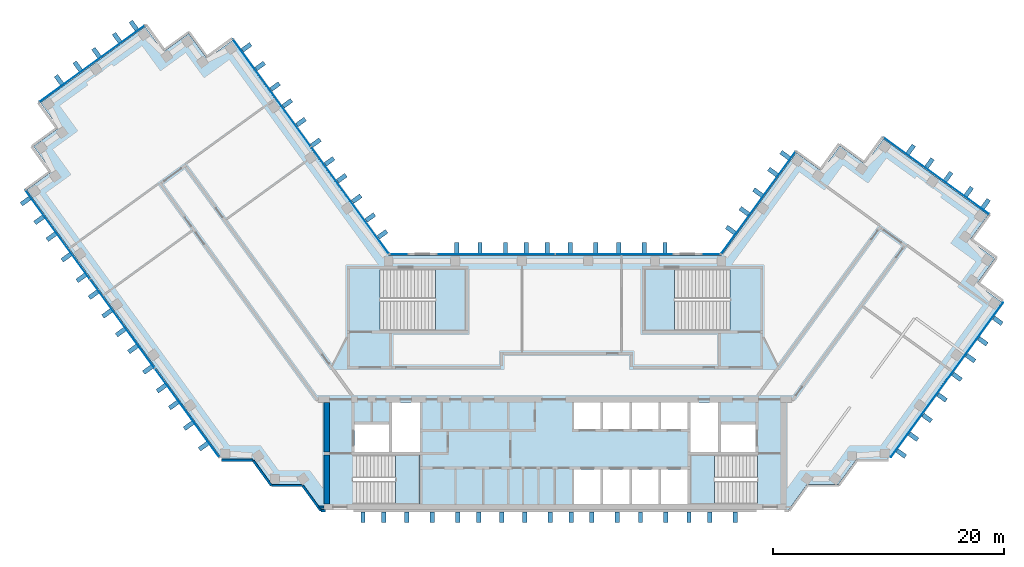
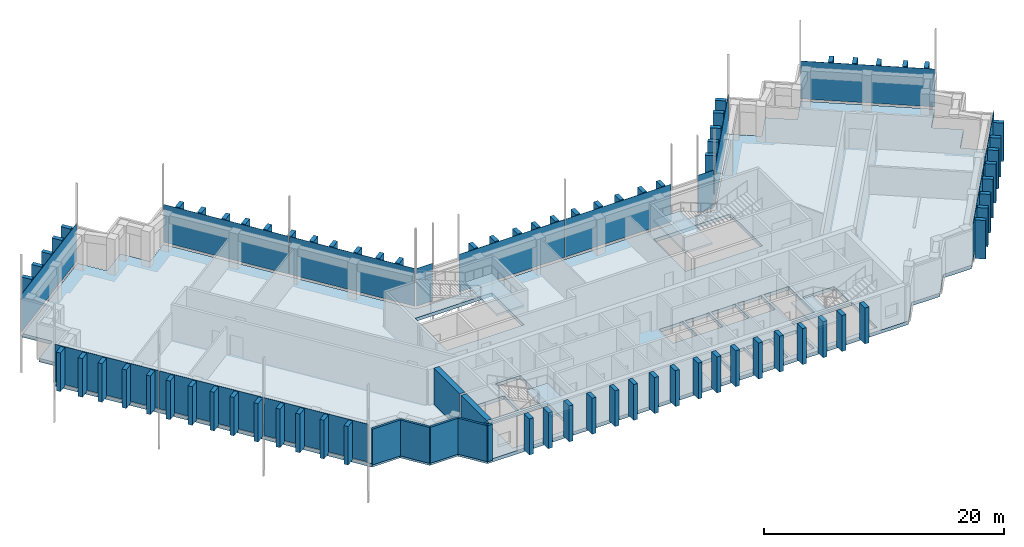
"""IFC4 building model written with IfcOpenShell, lengths in metres."""

import ifcopenshell
import ifcopenshell.guid

model = None  # the IFC model being written
_history = None  # IfcOwnerHistory: only IFC2X3 demands one
_inside = {}  # id of a spatial element -> (the spatial element, [elements in it])
_under = {}  # id of a project, library or spatial element -> (it, [spatial elements below it])
_declared = {}  # id of a project -> (the project, [libraries it declares])
_typed = {}  # id of a type object -> (the type object, [elements of that type])
_made_of = {}  # id of a material, layer set ... -> (it, [elements and type objects made of it])


def new_model(schema):
    """Start an empty IFC model of exactly this schema.

    Asked for "IFC4X3", IfcOpenShell would pick the latest addendum, in which some entities
    have other attributes; the version numbers below select the first issue.
    IFC2X3 requires an IfcOwnerHistory on every rooted entity: one is made here for all.
    """
    global model, _history
    if schema == "IFC4X3":
        model = ifcopenshell.file(schema_version=(4, 3, 0, 0))
    else:
        model = ifcopenshell.file(schema=schema)
    _inside.clear()
    _under.clear()
    _declared.clear()
    _typed.clear()
    _made_of.clear()
    _history = None
    if model.schema == "IFC2X3":
        org = make("IfcOrganization", Name="unknown")
        user = make(
            "IfcPersonAndOrganization",
            ThePerson=make("IfcPerson", FamilyName="unknown"),
            TheOrganization=org,
        )
        app = make(
            "IfcApplication",
            ApplicationDeveloper=org,
            Version="unknown",
            ApplicationFullName="unknown",
            ApplicationIdentifier="unknown",
        )
        _history = make(
            "IfcOwnerHistory",
            OwningUser=user,
            OwningApplication=app,
            ChangeAction="ADDED",
            CreationDate=0,
        )
    return model


def make(cls, **values):
    """One entity of the class cls with the attributes given. An attribute that is None is left unset."""
    return model.create_entity(
        cls, **{name: value for name, value in values.items() if value is not None}
    )


def rooted(cls, **values):
    """An entity with a GlobalId (a new one), such as an element, a storey or a relation."""
    return make(cls, GlobalId=ifcopenshell.guid.new(), OwnerHistory=_history, **values)


def si_unit(unit_type, name, prefix=None):
    """IfcSIUnit, for example si_unit("LENGTHUNIT", "METRE", prefix="MILLI")."""
    return make("IfcSIUnit", UnitType=unit_type, Prefix=prefix, Name=name)


def assignment(units):
    """IfcUnitAssignment: the units of a project."""
    return None if units is None else make("IfcUnitAssignment", Units=units)


def point(xyz):
    """IfcCartesianPoint."""
    return None if xyz is None else make("IfcCartesianPoint", Coordinates=xyz)


def direction(xyz):
    """IfcDirection."""
    return None if xyz is None else make("IfcDirection", DirectionRatios=xyz)


def frame(location, z_axis=None, x_axis=None):
    """IfcAxis2Placement3D, a coordinate frame: its origin and axes. An axis left out is left unset."""
    return make(
        "IfcAxis2Placement3D",
        Location=point(location),
        Axis=direction(z_axis),
        RefDirection=direction(x_axis),
    )


def frame_2d(location, x_axis=None):
    """IfcAxis2Placement2D, a coordinate frame in the plane: its origin and x axis."""
    return make(
        "IfcAxis2Placement2D", Location=point(location), RefDirection=direction(x_axis)
    )


def origin():
    """The frame at (0, 0, 0) with its axes left unset."""
    return frame((0.0, 0.0, 0.0))


def origin_2d():
    """The frame at (0, 0) in the plane with its x axis left unset."""
    return frame_2d((0.0, 0.0))


def place(relative_to, where):
    """IfcLocalPlacement: puts the frame where relative to a parent placement (None: the world)."""
    return make(
        "IfcLocalPlacement", PlacementRelTo=relative_to, RelativePlacement=where
    )


def context(
    kind, dimensions, precision=None, world=None, true_north=None, identifier=None
):
    """IfcGeometricRepresentationContext, for example the 3D "Model" context."""
    return make(
        "IfcGeometricRepresentationContext",
        ContextIdentifier=identifier,
        ContextType=kind,
        CoordinateSpaceDimension=dimensions,
        Precision=precision,
        WorldCoordinateSystem=world,
        TrueNorth=true_north,
    )


def subcontext(parent, identifier, kind, view, scale=None):
    """IfcGeometricRepresentationSubContext, for example "Body" below "Model"."""
    return make(
        "IfcGeometricRepresentationSubContext",
        ContextIdentifier=identifier,
        ContextType=kind,
        ParentContext=parent,
        TargetScale=scale,
        TargetView=view,
    )


def project(units=None, contexts=None):
    """IfcProject with its units and contexts."""
    return rooted(
        "IfcProject",
        Name="project",
        RepresentationContexts=contexts,
        UnitsInContext=assignment(units),
    )


def spatial(cls, under=None, at=None, **own):
    """A site, building, storey or space (cls), placed at a placement, below another one or the project."""
    s = rooted(cls, ObjectPlacement=at, **own)
    if under is not None:
        _under.setdefault(under.id(), (under, []))[1].append(s)
    return s


def polyline(points):
    """IfcPolyline through the points."""
    return make("IfcPolyline", Points=[point(p) for p in points])


def profile(cls, at=None, kind="AREA", **sizes):
    """A parametric profile (cls). Its sizes go by their IFC names, for example OverallWidth=200.0."""
    return make(cls, ProfileType=kind, Position=at, **sizes)


def rectangle(**sizes):
    """IfcRectangleProfileDef."""
    return profile("IfcRectangleProfileDef", **sizes)


def outline(outer, holes=None, kind="AREA"):
    """IfcArbitraryClosedProfileDef: a profile drawn as a closed curve; with holes, ...WithVoids."""
    if holes is None:
        return make("IfcArbitraryClosedProfileDef", ProfileType=kind, OuterCurve=outer)
    return make(
        "IfcArbitraryProfileDefWithVoids",
        ProfileType=kind,
        OuterCurve=outer,
        InnerCurves=holes,
    )


def extrude(swept, where, along, depth):
    """IfcExtrudedAreaSolid: the profile swept, set in the frame where, extruded along a direction by depth."""
    return make(
        "IfcExtrudedAreaSolid",
        SweptArea=swept,
        Position=where,
        ExtrudedDirection=direction(along),
        Depth=depth,
    )


def shape(context_of_items, identifier, shape_type, items):
    """IfcShapeRepresentation: the items that make up one representation, for example the "Body"."""
    return make(
        "IfcShapeRepresentation",
        ContextOfItems=context_of_items,
        RepresentationIdentifier=identifier,
        RepresentationType=shape_type,
        Items=items,
    )


def material(Name=None, Category=None):
    """IfcMaterial."""
    return make("IfcMaterial", Name=Name, Category=Category)


def layer(
    of_material, thickness, ventilated=None, Name=None, Category=None, Priority=None
):
    """IfcMaterialLayer: one layer of a wall or slab, of a material (None: an air gap)."""
    return make(
        "IfcMaterialLayer",
        Material=of_material,
        LayerThickness=thickness,
        IsVentilated=ventilated,
        Name=Name,
        Category=Category,
        Priority=Priority,
    )


def layer_set(layers, Name=None):
    """IfcMaterialLayerSet."""
    return make("IfcMaterialLayerSet", MaterialLayers=layers, LayerSetName=Name)


def made_of(thing, what):
    """Note that an element or type object is made of a material, layer set ...; save() writes the relation."""
    if what is not None:
        _made_of.setdefault(what.id(), (what, []))[1].append(thing)
    return thing


def type_object(cls, material=None, **own):
    """A type object (cls), such as IfcWallType, which elements share."""
    return made_of(rooted(cls, **own), material)


def element(
    cls,
    number,
    at=None,
    inside=None,
    cuts=None,
    type_object=None,
    material=None,
    context=None,
    identifier="Body",
    shape_type=None,
    held_by="IfcProductDefinitionShape",
    body=None,
    shapes=None,
    **own,
):
    """One element of the class cls, such as IfcWall. Its Tag is "e" and its number.

    at: its placement. inside: the storey or other place that contains it. cuts: it is an
    opening in that element (IfcRelVoidsElement). A single representation is given by context,
    identifier, shape_type and body (its items); several are given by shapes. held_by: the class
    of the entity that holds the representations. save() writes the other relations.
    """
    e = rooted(cls, Tag="e%d" % number, ObjectPlacement=at, **own)
    if body is not None:
        shapes = [shape(context, identifier, shape_type, body)]
    if shapes is not None:
        e.Representation = make(held_by, Representations=shapes)
    if inside is not None:
        _inside.setdefault(inside.id(), (inside, []))[1].append(e)
    if cuts is not None:
        rooted(
            "IfcRelVoidsElement", RelatingBuildingElement=cuts, RelatedOpeningElement=e
        )
    if type_object is not None:
        _typed.setdefault(type_object.id(), (type_object, []))[1].append(e)
    return made_of(e, material)


def aggregate(whole, parts):
    """IfcRelAggregates: a whole, such as a stair, and the parts it consists of."""
    return rooted("IfcRelAggregates", RelatingObject=whole, RelatedObjects=parts)


def save(model, path):
    """Write the relations noted so far, then the file.

    IfcRelAggregates (storeys below a building ...), IfcRelContainedInSpatialStructure (elements
    in a storey), IfcRelDefinesByType, IfcRelAssociatesMaterial and IfcRelDeclares: one each for
    every whole, place, type object, material and project.
    """
    for whole, parts in _under.values():
        aggregate(whole, parts)
    for where, things in _inside.values():
        rooted(
            "IfcRelContainedInSpatialStructure",
            RelatedElements=things,
            RelatingStructure=where,
        )
    for kind, things in _typed.values():
        rooted("IfcRelDefinesByType", RelatedObjects=things, RelatingType=kind)
    for what, things in _made_of.values():
        rooted("IfcRelAssociatesMaterial", RelatedObjects=things, RelatingMaterial=what)
    for by, libraries in _declared.values():
        rooted("IfcRelDeclares", RelatingContext=by, RelatedDefinitions=libraries)
    model.write(path)


model = new_model("IFC4")

# Units and contexts
model_context = context("Model", 3, precision=1e-05, world=origin(), true_north=direction((0.0, 1.0)))
body_context = subcontext(model_context, "Body", "Model", "MODEL_VIEW")
ifc_project = project(units=[si_unit("LENGTHUNIT", "METRE"), si_unit("AREAUNIT", "SQUARE_METRE"), si_unit("VOLUMEUNIT", "CUBIC_METRE"), si_unit("PLANEANGLEUNIT", "RADIAN"), si_unit("MASSUNIT", "GRAM", prefix="KILO")], contexts=[model_context])

# Site, building, storey
site_placement = place(None, origin())
site = spatial("IfcSite", under=ifc_project, at=site_placement, CompositionType="ELEMENT")
building_placement = place(site_placement, origin())
building = spatial("IfcBuilding", under=site, at=building_placement, Name="Quipu Civic Tower", CompositionType="ELEMENT")
storey_1_placement = place(building_placement, frame((0.0, 0.0, 210.0)))
storey_1 = spatial("IfcBuildingStorey", under=building, at=storey_1_placement, Name="L49", CompositionType="ELEMENT", Elevation=210.0)

# Slab
ifc_material_1 = material(Name="Concrete C40/50", Category="concrete")
ifc_layer_1 = layer(ifc_material_1, 0.35009765625)
ifc_layer_set_1 = layer_set([ifc_layer_1], Name="Concrete C40/50")
slab_type_1 = type_object("IfcSlabType", Name="Floor slab 350 C40/50", PredefinedType="FLOOR", material=ifc_layer_set_1)
slab_1_placement = place(storey_1_placement, frame((0.0, 0.0, -0.35009765625)))
element("IfcSlab", 1, at=slab_1_placement, inside=storey_1, type_object=slab_type_1, Name="Floor slab L49", PredefinedType="FLOOR", context=body_context, shape_type="SweptSolid", body=[
    extrude(outline(polyline([(20.860107421875, 19.89501953125), (23.0400390625, 18.31005859375), (24.6298828125, 20.4951171875), (26.81494140625, 18.905029296875), (28.39990234375, 21.090087890625), (37.4599609375, 14.5048828125), (35.875, 12.320068359375), (38.06005859375, 10.735107421875), (36.469970703125, 8.550048828125), (38.655029296875, 6.965087890625), (28.780029296875, -6.6298828125), (26.080078125, -6.6298828125), (24.489990234375, -8.81494140625), (21.7900390625, -8.81494140625), (20.205078125, -11.0), (-20.205078125, -11.0), (-21.7900390625, -8.81494140625), (-24.489990234375, -8.81494140625), (-26.080078125, -6.6298828125), (-28.780029296875, -6.6298828125), (-45.7099609375, 16.669921875), (-43.52490234375, 18.260009765625), (-45.114990234375, 20.445068359375), (-42.929931640625, 22.030029296875), (-44.514892578125, 24.215087890625), (-35.455078125, 30.800048828125), (-33.864990234375, 28.614990234375), (-31.68505859375, 30.199951171875), (-30.094970703125, 28.014892578125), (-27.909912109375, 29.60498046875), (-14.39501953125, 11.0), (14.39501953125, 11.0), (20.860107421875, 19.89501953125)]), holes=[polyline([(1.64990234375, -7.5), (1.64990234375, -10.5), (3.949951171875, -10.5), (3.949951171875, -7.5), (1.64990234375, -7.5)]), polyline([(4.14990234375, -7.5), (4.14990234375, -10.5), (6.449951171875, -10.5), (6.449951171875, -7.5), (4.14990234375, -7.5)]), polyline([(-11.705078125, -6.2548828125), (-17.4951171875, -6.2548828125), (-17.4951171875, -10.4951171875), (-11.705078125, -10.4951171875), (-11.705078125, -6.2548828125)]), polyline([(-17.35009765625, -3.60009765625), (-17.35009765625, -6.0), (-14.35009765625, -6.0), (-14.35009765625, -3.60009765625), (-17.35009765625, -3.60009765625)]), polyline([(-14.10009765625, -1.699951171875), (-14.10009765625, -6.0), (-11.699951171875, -6.0), (-11.699951171875, -1.699951171875), (-14.10009765625, -1.699951171875)]), polyline([(1.64990234375, -1.699951171875), (1.64990234375, -4.0), (3.949951171875, -4.0), (3.949951171875, -1.699951171875), (1.64990234375, -1.699951171875)]), polyline([(4.14990234375, -1.699951171875), (4.14990234375, -4.0), (6.449951171875, -4.0), (6.449951171875, -1.699951171875), (4.14990234375, -1.699951171875)]), polyline([(-7.7548828125, 9.844970703125), (-15.14501953125, 9.844970703125), (-15.14501953125, 4.5048828125), (-7.7548828125, 4.5048828125), (-7.7548828125, 9.844970703125)]), polyline([(6.64990234375, -7.5), (6.64990234375, -10.5), (8.949951171875, -10.5), (8.949951171875, -7.5), (6.64990234375, -7.5)]), polyline([(9.14990234375, -7.5), (9.14990234375, -10.5), (11.449951171875, -10.5), (11.449951171875, -7.5), (9.14990234375, -7.5)]), polyline([(11.705078125, -10.4951171875), (17.4951171875, -10.4951171875), (17.4951171875, -6.2548828125), (11.705078125, -6.2548828125), (11.705078125, -10.4951171875)]), polyline([(14.35009765625, -3.60009765625), (14.35009765625, -6.0), (17.35009765625, -6.0), (17.35009765625, -3.60009765625), (14.35009765625, -3.60009765625)]), polyline([(11.699951171875, -1.699951171875), (11.699951171875, -6.0), (14.10009765625, -6.0), (14.10009765625, -1.699951171875), (11.699951171875, -1.699951171875)]), polyline([(6.64990234375, -1.699951171875), (6.64990234375, -4.0), (8.949951171875, -4.0), (8.949951171875, -1.699951171875), (6.64990234375, -1.699951171875)]), polyline([(9.14990234375, -1.699951171875), (9.14990234375, -4.0), (11.449951171875, -4.0), (11.449951171875, -1.699951171875), (9.14990234375, -1.699951171875)]), polyline([(7.7548828125, 4.5048828125), (15.14501953125, 4.5048828125), (15.14501953125, 9.844970703125), (7.7548828125, 9.844970703125), (7.7548828125, 4.5048828125)])]), origin(), (0.0, 0.0, 1.0), 0.35009765625),
])

# Curtain wall, plates
ifc_material_2 = material(Name="Insulated glass unit", Category="glass")
curtain_wall_type = type_object("IfcCurtainWallType", Name="Office curtain wall CW1", PredefinedType="NOTDEFINED", material=ifc_material_2)
curtain_wall_1_placement = place(storey_1_placement, origin())
curtain_wall_1 = element("IfcCurtainWall", 2, at=curtain_wall_1_placement, inside=storey_1, type_object=curtain_wall_type, Name="Office curtain wall CW1 L48 run 8", PredefinedType="NOTDEFINED")
ifc_material_3 = material(Name="Insulated glass unit", Category="glass")
ifc_layer_2 = layer(ifc_material_3, 0.028076171875)
ifc_layer_set_2 = layer_set([ifc_layer_2], Name="Insulated glass unit")
plate_type_1 = type_object("IfcPlateType", Name="Glass panel CW1", PredefinedType="CURTAIN_PANEL", material=ifc_layer_set_2)
plate_1_placement = place(storey_1_placement, frame((-17.7421875, 15.777099609375, 0.16015625), z_axis=(0.0, 0.0, 1.0), x_axis=(-0.587788727052, 0.809014469803, 0.0)))
plate_1 = element("IfcPlate", 3, at=plate_1_placement, type_object=plate_type_1, Name="CW1 panel 1.2", PredefinedType="CURTAIN_PANEL", context=body_context, shape_type="SweptSolid", body=[
    extrude(rectangle(XDim=11.402099609375, YDim=0.028076171875, at=origin_2d()), origin(), (0.0, 0.0, 1.0), 3.840087890625),
])
plate_2_placement = place(storey_1_placement, frame((-24.491455078125, 25.066162109375, 0.16015625), z_axis=(0.0, 0.0, 1.0), x_axis=(-0.587788727052, 0.809014469803, 0.0)))
plate_2 = element("IfcPlate", 4, at=plate_2_placement, type_object=plate_type_1, Name="CW1 panel 2.2", PredefinedType="CURTAIN_PANEL", context=body_context, shape_type="SweptSolid", body=[
    extrude(rectangle(XDim=11.402099609375, YDim=0.028076171875, at=origin_2d()), origin(), (0.0, 0.0, 1.0), 3.840087890625),
])
aggregate(curtain_wall_1, [plate_1, plate_2])

# Curtain wall, plate
curtain_wall_2_placement = place(storey_1_placement, origin())
curtain_wall_2 = element("IfcCurtainWall", 5, at=curtain_wall_2_placement, inside=storey_1, type_object=curtain_wall_type, Name="Office curtain wall CW1 L48 run 13", PredefinedType="NOTDEFINED")
plate_3_placement = place(storey_1_placement, frame((-40.04345703125, 27.58740234375, 0.16015625), z_axis=(0.0, 0.0, 1.0), x_axis=(-0.809015176832, -0.587787753918, 0.0)))
plate_3 = element("IfcPlate", 6, at=plate_3_placement, type_object=plate_type_1, Name="CW1 panel 1.2", PredefinedType="CURTAIN_PANEL", context=body_context, shape_type="SweptSolid", body=[
    extrude(rectangle(XDim=11.239990234375, YDim=0.028076171875, at=origin_2d()), origin(), (0.0, 0.0, 1.0), 3.840087890625),
])
aggregate(curtain_wall_2, [plate_3])

# Curtain wall, plates
curtain_wall_3_placement = place(storey_1_placement, origin())
curtain_wall_3 = element("IfcCurtainWall", 7, at=curtain_wall_3_placement, inside=storey_1, type_object=curtain_wall_type, Name="Office curtain wall CW1 L48 run 18", PredefinedType="NOTDEFINED")
plate_4_placement = place(storey_1_placement, frame((-43.030517578125, 12.814208984375, 0.16015625), z_axis=(0.0, 0.0, 1.0), x_axis=(0.5877856923, -0.80901667469, 0.0)))
plate_4 = element("IfcPlate", 8, at=plate_4_placement, type_object=plate_type_1, Name="CW1 panel 1.2", PredefinedType="CURTAIN_PANEL", context=body_context, shape_type="SweptSolid", body=[
    extrude(rectangle(XDim=9.43212890625, YDim=0.028076171875, at=origin_2d()), origin(), (0.0, 0.0, 1.0), 3.840087890625),
])
plate_5_placement = place(storey_1_placement, frame((-37.427734375, 5.102783203125, 0.16015625), z_axis=(0.0, 0.0, 1.0), x_axis=(0.5877856923, -0.80901667469, 0.0)))
plate_5 = element("IfcPlate", 9, at=plate_5_placement, type_object=plate_type_1, Name="CW1 panel 2.2", PredefinedType="CURTAIN_PANEL", context=body_context, shape_type="SweptSolid", body=[
    extrude(rectangle(XDim=9.471923828125, YDim=0.028076171875, at=origin_2d()), origin(), (0.0, 0.0, 1.0), 3.840087890625),
])
plate_6_placement = place(storey_1_placement, frame((-31.824951171875, -2.60888671875, 0.16015625), z_axis=(0.0, 0.0, 1.0), x_axis=(0.5877856923, -0.80901667469, 0.0)))
plate_6 = element("IfcPlate", 10, at=plate_6_placement, type_object=plate_type_1, Name="CW1 panel 3.2", PredefinedType="CURTAIN_PANEL", context=body_context, shape_type="SweptSolid", body=[
    extrude(rectangle(XDim=9.43212890625, YDim=0.028076171875, at=origin_2d()), origin(), (0.0, 0.0, 1.0), 3.840087890625),
])
aggregate(curtain_wall_3, [plate_4, plate_5, plate_6])

# Curtain wall, plate
curtain_wall_4_placement = place(storey_1_placement, origin())
curtain_wall_4 = element("IfcCurtainWall", 11, at=curtain_wall_4_placement, inside=storey_1, type_object=curtain_wall_type, Name="Office curtain wall CW1 L48 run 28", PredefinedType="NOTDEFINED")
plate_7_placement = place(storey_1_placement, frame((32.989990234375, 17.87939453125, 0.16015625), z_axis=(0.0, 0.0, 1.0), x_axis=(-0.809015176832, 0.587787753918, 0.0)))
plate_7 = element("IfcPlate", 12, at=plate_7_placement, type_object=plate_type_1, Name="CW1 panel 1.2", PredefinedType="CURTAIN_PANEL", context=body_context, shape_type="SweptSolid", body=[
    extrude(rectangle(XDim=11.239990234375, YDim=0.028076171875, at=origin_2d()), origin(), (0.0, 0.0, 1.0), 3.840087890625),
])
aggregate(curtain_wall_4, [plate_7])

curtain_wall_5_placement = place(storey_1_placement, origin())
curtain_wall_5 = element("IfcCurtainWall", 13, at=curtain_wall_5_placement, inside=storey_1, type_object=curtain_wall_type, Name="Office curtain wall CW1 L48 run 33", PredefinedType="NOTDEFINED")
plate_8_placement = place(storey_1_placement, frame((17.590087890625, 15.5673828125, 0.16015625), z_axis=(0.0, 0.0, 1.0), x_axis=(-0.587787771652, -0.809015163947, 0.0)))
plate_8 = element("IfcPlate", 14, at=plate_8_placement, type_object=plate_type_1, Name="CW1 panel 1.2", PredefinedType="CURTAIN_PANEL", context=body_context, shape_type="SweptSolid", body=[
    extrude(rectangle(XDim=10.88427734375, YDim=0.028076171875, at=origin_2d()), origin(), (0.0, 0.0, 1.0), 3.840087890625),
])
aggregate(curtain_wall_5, [plate_8])

curtain_wall_6_placement = place(storey_1_placement, origin())
curtain_wall_6 = element("IfcCurtainWall", 15, at=curtain_wall_6_placement, inside=storey_1, type_object=curtain_wall_type, Name="Office curtain wall CW1 L48 run 34", PredefinedType="NOTDEFINED")
plate_9_placement = place(storey_1_placement, frame((13.49951171875, 11.10009765625, 0.16015625), z_axis=(0.0, 0.0, 1.0), x_axis=(-1.0, 0.0, 0.0)))
plate_9 = element("IfcPlate", 16, at=plate_9_placement, type_object=plate_type_1, Name="CW1 panel 1.2", PredefinedType="CURTAIN_PANEL", context=body_context, shape_type="SweptSolid", body=[
    extrude(rectangle(XDim=1.529296875, YDim=0.028076171875, at=origin_2d()), origin(), (0.0, 0.0, 1.0), 3.840087890625),
])
aggregate(curtain_wall_6, [plate_9])

# Curtain wall, plates
curtain_wall_7_placement = place(storey_1_placement, origin())
curtain_wall_7 = element("IfcCurtainWall", 17, at=curtain_wall_7_placement, inside=storey_1, type_object=curtain_wall_type, Name="Office curtain wall CW1 L48 run 36", PredefinedType="NOTDEFINED")
plate_10_placement = place(storey_1_placement, frame((5.11181640625, 11.10009765625, 0.16015625), z_axis=(0.0, 0.0, 1.0), x_axis=(-1.0, 0.0, 0.0)))
plate_10 = element("IfcPlate", 18, at=plate_10_placement, type_object=plate_type_1, Name="CW1 panel 1.2", PredefinedType="CURTAIN_PANEL", context=body_context, shape_type="SweptSolid", body=[
    extrude(rectangle(XDim=10.1435546875, YDim=0.028076171875, at=origin_2d()), origin(), (0.0, 0.0, 1.0), 3.840087890625),
])
plate_11_placement = place(storey_1_placement, frame((-5.11181640625, 11.10009765625, 0.16015625), z_axis=(0.0, 0.0, 1.0), x_axis=(-1.0, 0.0, 0.0)))
plate_11 = element("IfcPlate", 19, at=plate_11_placement, type_object=plate_type_1, Name="CW1 panel 2.2", PredefinedType="CURTAIN_PANEL", context=body_context, shape_type="SweptSolid", body=[
    extrude(rectangle(XDim=10.1435546875, YDim=0.028076171875, at=origin_2d()), origin(), (0.0, 0.0, 1.0), 3.840087890625),
])
aggregate(curtain_wall_7, [plate_10, plate_11])

# Curtain wall, plate
curtain_wall_8_placement = place(storey_1_placement, origin())
curtain_wall_8 = element("IfcCurtainWall", 20, at=curtain_wall_8_placement, inside=storey_1, type_object=curtain_wall_type, Name="Office curtain wall CW1 L48 run 38", PredefinedType="NOTDEFINED")
plate_12_placement = place(storey_1_placement, frame((-13.49951171875, 11.10009765625, 0.16015625), z_axis=(0.0, 0.0, 1.0), x_axis=(-1.0, 0.0, 0.0)))
plate_12 = element("IfcPlate", 21, at=plate_12_placement, type_object=plate_type_1, Name="CW1 panel 1.2", PredefinedType="CURTAIN_PANEL", context=body_context, shape_type="SweptSolid", body=[
    extrude(rectangle(XDim=1.529296875, YDim=0.028076171875, at=origin_2d()), origin(), (0.0, 0.0, 1.0), 3.840087890625),
])
aggregate(curtain_wall_8, [plate_12])

# Storey
storey_2_placement = place(building_placement, frame((0.0, 0.0, 214.0)))
storey_2 = spatial("IfcBuildingStorey", under=building, at=storey_2_placement, Name="L50", CompositionType="ELEMENT", Elevation=214.0)

# Curtain wall, plates
curtain_wall_9_placement = place(storey_2_placement, origin())
curtain_wall_9 = element("IfcCurtainWall", 22, at=curtain_wall_9_placement, inside=storey_2, type_object=curtain_wall_type, Name="Office curtain wall CW1 L49 run 4", PredefinedType="NOTDEFINED")
plate_13_placement = place(storey_1_placement, frame((31.465087890625, -3.10400390625, 0.240234375), z_axis=(0.0, 0.0, 1.0), x_axis=(0.58778680192, 0.809015868502, 0.0)))
plate_13 = element("IfcPlate", 23, at=plate_13_placement, inside=storey_1, type_object=plate_type_1, Name="CW1 panel 1.1", PredefinedType="CURTAIN_PANEL", context=body_context, shape_type="SweptSolid", body=[
    extrude(rectangle(XDim=8.2080078125, YDim=0.028076171875, at=origin_2d()), origin(), (0.0, 0.0, 1.0), 3.760009765625),
])
plate_14_placement = place(storey_1_placement, frame((36.3369140625, 3.60107421875, 0.240234375), z_axis=(0.0, 0.0, 1.0), x_axis=(0.58778680192, 0.809015868502, 0.0)))
plate_14 = element("IfcPlate", 24, at=plate_14_placement, inside=storey_1, type_object=plate_type_1, Name="CW1 panel 2.1", PredefinedType="CURTAIN_PANEL", context=body_context, shape_type="SweptSolid", body=[
    extrude(rectangle(XDim=8.2080078125, YDim=0.028076171875, at=origin_2d()), origin(), (0.0, 0.0, 1.0), 3.760009765625),
])
aggregate(curtain_wall_9, [plate_13, plate_14])

# Plates
ifc_material_4 = material(Name="Precast concrete C40/50", Category="concrete")
plate_type_2 = type_object("IfcPlateType", Name="Precast fin F2", PredefinedType="SHEET", material=ifc_material_4)
for number, where, z_axis, x_axis, name in (
    (25, (-14.92138671875, 12.830078125, 0.080078125), (0.0, 0.0, 1.0), (-0.587787133119, 0.809015627871, 0.0), "Precast fin F2 L49.P04.1"),
    (26, (-15.9794921875, 14.286376953125, 0.080078125), (0.0, 0.0, 1.0), (-0.587787133119, 0.809015627871, 0.0), "Precast fin F2 L49.P04.2"),
    (27, (-17.155029296875, 15.904541015625, 0.080078125), (0.0, 0.0, 1.0), (-0.587787133119, 0.809015627871, 0.0), "Precast fin F2 L49.P04.3"),
    (28, (-18.4482421875, 17.684326171875, 0.080078125), (0.0, 0.0, 1.0), (-0.587787133119, 0.809015627871, 0.0), "Precast fin F2 L49.P04.4"),
    (29, (-19.506103515625, 19.140625, 0.080078125), (0.0, 0.0, 1.0), (-0.587787133119, 0.809015627871, 0.0), "Precast fin F2 L49.P04.5"),
    (30, (-20.681884765625, 20.758544921875, 0.080078125), (0.0, 0.0, 1.0), (-0.587787133119, 0.809015627871, 0.0), "Precast fin F2 L49.P04.6"),
    (31, (-21.974853515625, 22.538330078125, 0.080078125), (0.0, 0.0, 1.0), (-0.587787133119, 0.809015627871, 0.0), "Precast fin F2 L49.P04.7"),
    (32, (-23.150390625, 24.156494140625, 0.080078125), (0.0, 0.0, 1.0), (-0.587787133119, 0.809015627871, 0.0), "Precast fin F2 L49.P04.8"),
    (33, (-24.20849609375, 25.612548828125, 0.080078125), (0.0, 0.0, 1.0), (-0.587787133119, 0.809015627871, 0.0), "Precast fin F2 L49.P04.9"),
    (34, (-25.501708984375, 27.392578125, 0.080078125), (0.0, 0.0, 1.0), (-0.587787133119, 0.809015627871, 0.0), "Precast fin F2 L49.P04.10"),
    (35, (-26.67724609375, 29.010498046875, 0.080078125), (0.0, 0.0, 1.0), (-0.587787133119, 0.809015627871, 0.0), "Precast fin F2 L49.P04.11"),
    (36, (-36.434814453125, 30.88916015625, 0.080078125), (0.0, 0.0, 1.0), (-0.809017072762, -0.587785144401, 0.0), "Precast fin F2 L49.P09.1"),
    (37, (-37.89111328125, 29.8310546875, 0.080078125), (0.0, 0.0, 1.0), (-0.809017072762, -0.587785144401, 0.0), "Precast fin F2 L49.P09.2"),
    (38, (-39.6708984375, 28.537841796875, 0.080078125), (0.0, 0.0, 1.0), (-0.809017072762, -0.587785144401, 0.0), "Precast fin F2 L49.P09.3"),
    (39, (-41.2890625, 27.3623046875, 0.080078125), (0.0, 0.0, 1.0), (-0.809017072762, -0.587785144401, 0.0), "Precast fin F2 L49.P09.4"),
    (40, (-42.906982421875, 26.186767578125, 0.080078125), (0.0, 0.0, 1.0), (-0.809017072762, -0.587785144401, 0.0), "Precast fin F2 L49.P09.5"),
    (41, (-45.80078125, 15.69140625, 0.080078125), (0.0, 0.0, 1.0), (0.587785620359, -0.809016726959, 0.0), "Precast fin F2 L49.P14.1"),
    (42, (-44.625244140625, 14.073486328125, 0.080078125), (0.0, 0.0, 1.0), (0.587785620359, -0.809016726959, 0.0), "Precast fin F2 L49.P14.2"),
    (43, (-43.567138671875, 12.6171875, 0.080078125), (0.0, 0.0, 1.0), (0.587785620359, -0.809016726959, 0.0), "Precast fin F2 L49.P14.3"),
    (44, (-42.27392578125, 10.83740234375, 0.080078125), (0.0, 0.0, 1.0), (0.587785620359, -0.809016726959, 0.0), "Precast fin F2 L49.P14.4"),
    (45, (-40.98095703125, 9.0576171875, 0.080078125), (0.0, 0.0, 1.0), (0.587785620359, -0.809016726959, 0.0), "Precast fin F2 L49.P14.5"),
    (46, (-39.9228515625, 7.601318359375, 0.080078125), (0.0, 0.0, 1.0), (0.587785620359, -0.809016726959, 0.0), "Precast fin F2 L49.P14.6"),
    (47, (-38.747314453125, 5.983154296875, 0.080078125), (0.0, 0.0, 1.0), (0.587785620359, -0.809016726959, 0.0), "Precast fin F2 L49.P14.7"),
    (48, (-37.57177734375, 4.365234375, 0.080078125), (0.0, 0.0, 1.0), (0.587785620359, -0.809016726959, 0.0), "Precast fin F2 L49.P14.8"),
    (49, (-36.513671875, 2.908935546875, 0.080078125), (0.0, 0.0, 1.0), (0.587785620359, -0.809016726959, 0.0), "Precast fin F2 L49.P14.9"),
    (50, (-35.220458984375, 1.129150390625, 0.080078125), (0.0, 0.0, 1.0), (0.587785620359, -0.809016726959, 0.0), "Precast fin F2 L49.P14.10"),
    (51, (-34.044921875, -0.48876953125, 0.080078125), (0.0, 0.0, 1.0), (0.587785620359, -0.809016726959, 0.0), "Precast fin F2 L49.P14.11"),
    (52, (-32.987060546875, -1.945068359375, 0.080078125), (0.0, 0.0, 1.0), (0.587785620359, -0.809016726959, 0.0), "Precast fin F2 L49.P14.12"),
    (53, (-31.69384765625, -3.724853515625, 0.080078125), (0.0, 0.0, 1.0), (0.587785620359, -0.809016726959, 0.0), "Precast fin F2 L49.P14.13"),
    (54, (-30.400634765625, -5.5048828125, 0.080078125), (0.0, 0.0, 1.0), (0.587785620359, -0.809016726959, 0.0), "Precast fin F2 L49.P14.14"),
):
    element("IfcPlate", number, at=place(storey_1_placement, frame(where, z_axis=z_axis, x_axis=x_axis)), inside=storey_1, type_object=plate_type_2, Name=name, PredefinedType="SHEET", context=body_context, shape_type="SweptSolid", body=[
        extrude(rectangle(XDim=0.3798828125, YDim=0.89990234375, at=origin_2d()), origin(), (0.0, 0.0, 1.0), 3.919921875),
    ])
for number, where, z_axis, x_axis, name in (
    (55, (-16.610107421875, -11.637939453125, 0.0), (0.0, 0.0, 1.0), (1.0, 0.0, 0.0), "Precast fin F2 L49.P21.1"),
    (56, (-14.81005859375, -11.637939453125, 0.0), (0.0, 0.0, 1.0), (1.0, 0.0, 0.0), "Precast fin F2 L49.P21.2"),
    (57, (-12.81005859375, -11.637939453125, 0.0), (0.0, 0.0, 1.0), (1.0, 0.0, 0.0), "Precast fin F2 L49.P21.3"),
    (58, (-10.610107421875, -11.637939453125, 0.0), (0.0, 0.0, 1.0), (1.0, 0.0, 0.0), "Precast fin F2 L49.P21.4"),
    (59, (-8.409912109375, -11.637939453125, 0.0), (0.0, 0.0, 1.0), (1.0, 0.0, 0.0), "Precast fin F2 L49.P21.5"),
    (60, (-6.610107421875, -11.637939453125, 0.0), (0.0, 0.0, 1.0), (1.0, 0.0, 0.0), "Precast fin F2 L49.P21.6"),
    (61, (-4.610107421875, -11.637939453125, 0.0), (0.0, 0.0, 1.0), (1.0, 0.0, 0.0), "Precast fin F2 L49.P21.7"),
    (62, (-2.610107421875, -11.637939453125, 0.0), (0.0, 0.0, 1.0), (1.0, 0.0, 0.0), "Precast fin F2 L49.P21.8"),
    (63, (-0.409912109375, -11.637939453125, 0.0), (0.0, 0.0, 1.0), (1.0, 0.0, 0.0), "Precast fin F2 L49.P21.9"),
    (64, (1.389892578125, -11.637939453125, 0.0), (0.0, 0.0, 1.0), (1.0, 0.0, 0.0), "Precast fin F2 L49.P21.10"),
    (65, (3.18994140625, -11.637939453125, 0.0), (0.0, 0.0, 1.0), (1.0, 0.0, 0.0), "Precast fin F2 L49.P21.11"),
    (66, (5.389892578125, -11.637939453125, 0.0), (0.0, 0.0, 1.0), (1.0, 0.0, 0.0), "Precast fin F2 L49.P21.12"),
    (67, (7.389892578125, -11.637939453125, 0.0), (0.0, 0.0, 1.0), (1.0, 0.0, 0.0), "Precast fin F2 L49.P21.13"),
    (68, (9.590087890625, -11.637939453125, 0.0), (0.0, 0.0, 1.0), (1.0, 0.0, 0.0), "Precast fin F2 L49.P21.14"),
    (69, (11.590087890625, -11.637939453125, 0.0), (0.0, 0.0, 1.0), (1.0, 0.0, 0.0), "Precast fin F2 L49.P21.15"),
    (70, (13.389892578125, -11.637939453125, 0.0), (0.0, 0.0, 1.0), (1.0, 0.0, 0.0), "Precast fin F2 L49.P21.16"),
    (71, (15.590087890625, -11.637939453125, 0.0), (0.0, 0.0, 1.0), (1.0, 0.0, 0.0), "Precast fin F2 L49.P21.17"),
):
    element("IfcPlate", number, at=place(storey_1_placement, frame(where, z_axis=z_axis, x_axis=x_axis)), inside=storey_1, type_object=plate_type_2, Name=name, PredefinedType="SHEET", context=body_context, shape_type="SweptSolid", body=[
        extrude(rectangle(XDim=0.3798828125, YDim=0.89990234375, at=origin_2d()), origin(), (0.0, 0.0, 1.0), 3.64990234375),
    ])
for number, where, z_axis, x_axis, name in (
    (72, (37.2451171875, 15.467529296875, 0.080078125), (0.0, 0.0, 1.0), (-0.809017072762, 0.587785144401, 0.0), "Precast fin F2 L49.P25.1"),
    (73, (35.7890625, 16.525634765625, 0.080078125), (0.0, 0.0, 1.0), (-0.809017072762, 0.587785144401, 0.0), "Precast fin F2 L49.P25.2"),
    (74, (34.009033203125, 17.81884765625, 0.080078125), (0.0, 0.0, 1.0), (-0.809017072762, 0.587785144401, 0.0), "Precast fin F2 L49.P25.3"),
    (75, (32.39111328125, 18.994384765625, 0.080078125), (0.0, 0.0, 1.0), (-0.809017072762, 0.587785144401, 0.0), "Precast fin F2 L49.P25.4"),
    (76, (30.77294921875, 20.169921875, 0.080078125), (0.0, 0.0, 1.0), (-0.809017072762, 0.587785144401, 0.0), "Precast fin F2 L49.P25.5"),
    (77, (19.897216796875, 19.6787109375, 0.080078125), (0.0, 0.0, 1.0), (-0.58778443384, -0.809017589015, 0.0), "Precast fin F2 L49.P30.1"),
    (78, (18.839111328125, 18.222412109375, 0.080078125), (0.0, 0.0, 1.0), (-0.58778443384, -0.809017589015, 0.0), "Precast fin F2 L49.P30.2"),
    (79, (17.546142578125, 16.442626953125, 0.080078125), (0.0, 0.0, 1.0), (-0.58778443384, -0.809017589015, 0.0), "Precast fin F2 L49.P30.3"),
    (80, (16.370361328125, 14.824462890625, 0.080078125), (0.0, 0.0, 1.0), (-0.58778443384, -0.809017589015, 0.0), "Precast fin F2 L49.P30.4"),
    (81, (15.19482421875, 13.20654296875, 0.080078125), (0.0, 0.0, 1.0), (-0.58778443384, -0.809017589015, 0.0), "Precast fin F2 L49.P30.5"),
    (82, (9.510009765625, 11.64990234375, 0.080078125), (0.0, 0.0, 1.0), (-1.0, 0.0, 0.0), "Precast fin F2 L49.P33.1"),
    (83, (7.7099609375, 11.64990234375, 0.080078125), (0.0, 0.0, 1.0), (-1.0, 0.0, 0.0), "Precast fin F2 L49.P33.2"),
    (84, (5.510009765625, 11.64990234375, 0.080078125), (0.0, 0.0, 1.0), (-1.0, 0.0, 0.0), "Precast fin F2 L49.P33.3"),
    (85, (3.510009765625, 11.64990234375, 0.080078125), (0.0, 0.0, 1.0), (-1.0, 0.0, 0.0), "Precast fin F2 L49.P33.4"),
    (86, (1.31005859375, 11.64990234375, 0.080078125), (0.0, 0.0, 1.0), (-1.0, 0.0, 0.0), "Precast fin F2 L49.P33.5"),
    (87, (-0.68994140625, 11.64990234375, 0.080078125), (0.0, 0.0, 1.0), (-1.0, 0.0, 0.0), "Precast fin F2 L49.P33.6"),
    (88, (-2.489990234375, 11.64990234375, 0.080078125), (0.0, 0.0, 1.0), (-1.0, 0.0, 0.0), "Precast fin F2 L49.P33.7"),
    (89, (-4.2900390625, 11.64990234375, 0.080078125), (0.0, 0.0, 1.0), (-1.0, 0.0, 0.0), "Precast fin F2 L49.P33.8"),
    (90, (-6.489990234375, 11.64990234375, 0.080078125), (0.0, 0.0, 1.0), (-1.0, 0.0, 0.0), "Precast fin F2 L49.P33.9"),
    (91, (-8.489990234375, 11.64990234375, 0.080078125), (0.0, 0.0, 1.0), (-1.0, 0.0, 0.0), "Precast fin F2 L49.P33.10"),
    (92, (29.943603515625, -6.134033203125, 0.080078125), (0.0, 0.0, 1.0), (0.587786668783, 0.809015965233, 0.0), "Precast fin F2 L49.4.1"),
    (93, (31.00146484375, -4.677734375, 0.080078125), (0.0, 0.0, 1.0), (0.587786668783, 0.809015965233, 0.0), "Precast fin F2 L49.4.2"),
    (94, (32.17724609375, -3.059814453125, 0.080078125), (0.0, 0.0, 1.0), (0.587786668783, 0.809015965233, 0.0), "Precast fin F2 L49.4.3"),
    (95, (33.47021484375, -1.280029296875, 0.080078125), (0.0, 0.0, 1.0), (0.587786668783, 0.809015965233, 0.0), "Precast fin F2 L49.4.4"),
    (96, (34.763427734375, 0.5, 0.080078125), (0.0, 0.0, 1.0), (0.587786668783, 0.809015965233, 0.0), "Precast fin F2 L49.4.5"),
    (97, (35.93896484375, 2.117919921875, 0.080078125), (0.0, 0.0, 1.0), (0.587786668783, 0.809015965233, 0.0), "Precast fin F2 L49.4.6"),
    (98, (36.9970703125, 3.57421875, 0.080078125), (0.0, 0.0, 1.0), (0.587786668783, 0.809015965233, 0.0), "Precast fin F2 L49.4.7"),
    (99, (38.2900390625, 5.35400390625, 0.080078125), (0.0, 0.0, 1.0), (0.587786668783, 0.809015965233, 0.0), "Precast fin F2 L49.4.8"),
):
    element("IfcPlate", number, at=place(storey_1_placement, frame(where, z_axis=z_axis, x_axis=x_axis)), inside=storey_1, type_object=plate_type_2, Name=name, PredefinedType="SHEET", context=body_context, shape_type="SweptSolid", body=[
        extrude(rectangle(XDim=0.3798828125, YDim=0.89990234375, at=origin_2d()), origin(), (0.0, 0.0, 1.0), 3.919921875),
    ])

# Stair, slab
ifc_material_5 = material(Name="Concrete C40/50", Category="concrete")
stair_type_1 = type_object("IfcStairType", Name="Half turn stair 2000", PredefinedType="HALF_TURN_STAIR", material=ifc_material_5)
stair_1_placement = place(storey_1_placement, origin())
stair_1 = element("IfcStair", 100, at=stair_1_placement, inside=storey_1, type_object=stair_type_1, Name="Exit stair 1", PredefinedType="HALF_TURN_STAIR")
ifc_material_6 = material(Name="Concrete C40/50", Category="concrete")
ifc_layer_3 = layer(ifc_material_6, 0.199951171875)
ifc_layer_set_3 = layer_set([ifc_layer_3], Name="Concrete C40/50")
slab_type_2 = type_object("IfcSlabType", Name="Stair landing 200", PredefinedType="LANDING", material=ifc_layer_set_3)
slab_2_placement = place(storey_1_placement, frame((0.0, 0.0, 1.800048828125)))
slab_2 = element("IfcSlab", 101, at=slab_2_placement, type_object=slab_type_2, Name="ST-1 landing 1", PredefinedType="LANDING", context=body_context, shape_type="SweptSolid", body=[
    extrude(outline(polyline([(-13.780029296875, -10.5), (-11.699951171875, -10.5), (-11.699951171875, -6.25), (-13.780029296875, -6.25), (-13.780029296875, -10.5)])), origin(), (0.0, 0.0, 1.0), 0.199951171875),
])
aggregate(stair_1, [slab_2])

stair_2_placement = place(storey_1_placement, origin())
stair_2 = element("IfcStair", 102, at=stair_2_placement, inside=storey_1, type_object=stair_type_1, Name="Exit stair 2", PredefinedType="HALF_TURN_STAIR")
slab_3_placement = place(storey_1_placement, frame((0.0, 0.0, 1.800048828125)))
slab_3 = element("IfcSlab", 103, at=slab_3_placement, type_object=slab_type_2, Name="ST-2 landing 1", PredefinedType="LANDING", context=body_context, shape_type="SweptSolid", body=[
    extrude(outline(polyline([(13.780029296875, -6.25), (11.699951171875, -6.25), (11.699951171875, -10.5), (13.780029296875, -10.5), (13.780029296875, -6.25)])), origin(), (0.0, 0.0, 1.0), 0.199951171875),
])
aggregate(stair_2, [slab_3])

ifc_material_7 = material(Name="Concrete C40/50", Category="concrete")
stair_type_2 = type_object("IfcStairType", Name="Half turn stair 2600", PredefinedType="HALF_TURN_STAIR", material=ifc_material_7)
stair_3_placement = place(storey_1_placement, origin())
stair_3 = element("IfcStair", 104, at=stair_3_placement, inside=storey_1, type_object=stair_type_2, Name="Exit stair 3", PredefinedType="HALF_TURN_STAIR")
slab_4_placement = place(storey_1_placement, frame((0.0, 0.0, 1.800048828125)))
slab_4 = element("IfcSlab", 105, at=slab_4_placement, type_object=slab_type_2, Name="ST-3 landing 1", PredefinedType="LANDING", context=body_context, shape_type="SweptSolid", body=[
    extrude(outline(polyline([(-10.35009765625, 4.5), (-7.75, 4.5), (-7.75, 9.85009765625), (-10.35009765625, 9.85009765625), (-10.35009765625, 4.5)])), origin(), (0.0, 0.0, 1.0), 0.199951171875),
])
aggregate(stair_3, [slab_4])

stair_4_placement = place(storey_1_placement, origin())
stair_4 = element("IfcStair", 106, at=stair_4_placement, inside=storey_1, type_object=stair_type_2, Name="Exit stair 4", PredefinedType="HALF_TURN_STAIR")
slab_5_placement = place(storey_1_placement, frame((0.0, 0.0, 1.800048828125)))
slab_5 = element("IfcSlab", 107, at=slab_5_placement, type_object=slab_type_2, Name="ST-4 landing 1", PredefinedType="LANDING", context=body_context, shape_type="SweptSolid", body=[
    extrude(outline(polyline([(10.35009765625, 9.85009765625), (7.75, 9.85009765625), (7.75, 4.5), (10.35009765625, 4.5), (10.35009765625, 9.85009765625)])), origin(), (0.0, 0.0, 1.0), 0.199951171875),
])
aggregate(stair_4, [slab_5])

# Walls
ifc_material_8 = material(Name="Concrete C70/85", Category="concrete")
ifc_layer_4 = layer(ifc_material_8, 0.5)
ifc_layer_set_4 = layer_set([ifc_layer_4], Name="Concrete C70/85")
wall_type_1 = type_object("IfcWallType", Name="Core wall 500", PredefinedType="SHEAR", material=ifc_layer_set_4)
wall_1_placement = place(storey_1_placement, frame((-19.75, -10.5, 0.0), z_axis=(0.0, 0.0, 1.0), x_axis=(0.0, 1.0, 0.0)))
element("IfcWall", 108, at=wall_1_placement, inside=storey_1, type_object=wall_type_1, Name="Core wall", PredefinedType="SHEAR", context=body_context, shape_type="SweptSolid", body=[
    extrude(rectangle(XDim=4.25, YDim=0.5, at=frame_2d((2.125, 0.0))), origin(), (0.0, 0.0, 1.0), 3.64990234375),
])
wall_2_placement = place(storey_1_placement, frame((-19.75, -6.0, 0.0), z_axis=(0.0, 0.0, 1.0), x_axis=(0.0, 1.0, 0.0)))
element("IfcWall", 109, at=wall_2_placement, inside=storey_1, type_object=wall_type_1, Name="Core wall", PredefinedType="SHEAR", context=body_context, shape_type="SweptSolid", body=[
    extrude(rectangle(XDim=4.300048828125, YDim=0.5, at=frame_2d((2.14990234375, 0.0))), origin(), (0.0, 0.0, 1.0), 3.64990234375),
])
ifc_material_9 = material(Name="Precast concrete C40/50", Category="concrete")
wall_type_2 = type_object("IfcWallType", Name="Precast cladding wall", PredefinedType="SOLIDWALL", material=ifc_material_9)
wall_3_placement = place(storey_1_placement, frame((-28.829833984375, -6.71923828125, 0.0), z_axis=(0.0, 0.0, 1.0), x_axis=(1.0, 0.0, 0.0)))
element("IfcWall", 110, at=wall_3_placement, inside=storey_1, type_object=wall_type_2, Name="Precast cladding wall L49 P15", PredefinedType="SOLIDWALL", context=body_context, shape_type="SweptSolid", body=[
    extrude(rectangle(XDim=2.699951171875, YDim=0.199951171875, at=frame_2d((1.35009765625, 0.0))), origin(), (0.0, 0.0, 1.0), 3.64990234375),
])
wall_4_placement = place(storey_1_placement, frame((-26.1201171875, -6.72412109375, 0.0), z_axis=(0.0, 0.0, 1.0), x_axis=(0.587720002413, -0.809064397168, 0.0)))
element("IfcWall", 111, at=wall_4_placement, inside=storey_1, type_object=wall_type_2, Name="Precast cladding wall L49 P16", PredefinedType="SOLIDWALL", context=body_context, shape_type="SweptSolid", body=[
    extrude(rectangle(XDim=2.7001953125, YDim=0.199951171875, at=frame_2d((1.35009765625, 0.0))), origin(), (0.0, 0.0, 1.0), 3.64990234375),
])
wall_5_placement = place(storey_1_placement, frame((-24.542724609375, -8.90380859375, 0.0), z_axis=(0.0, 0.0, 1.0), x_axis=(1.0, 0.0, 0.0)))
element("IfcWall", 112, at=wall_5_placement, inside=storey_1, type_object=wall_type_2, Name="Precast cladding wall L49 P17", PredefinedType="SOLIDWALL", context=body_context, shape_type="SweptSolid", body=[
    extrude(rectangle(XDim=2.699951171875, YDim=0.199951171875, at=frame_2d((1.35009765625, 0.0))), origin(), (0.0, 0.0, 1.0), 3.64990234375),
])
wall_6_placement = place(storey_1_placement, frame((-21.8330078125, -8.90869140625, 0.0), z_axis=(0.0, 0.0, 1.0), x_axis=(0.587766567315, -0.809030569476, 0.0)))
element("IfcWall", 113, at=wall_6_placement, inside=storey_1, type_object=wall_type_2, Name="Precast cladding wall L49 P18", PredefinedType="SOLIDWALL", context=body_context, shape_type="SweptSolid", body=[
    extrude(rectangle(XDim=2.687744140625, YDim=0.199951171875, at=frame_2d((1.34375, 0.0))), origin(), (0.0, 0.0, 1.0), 3.64990234375),
])
wall_7_placement = place(storey_1_placement, frame((-20.255859375, -11.087890625, 0.0), z_axis=(0.0, 0.0, 1.0), x_axis=(1.0, 0.0, 0.0)))
element("IfcWall", 114, at=wall_7_placement, inside=storey_1, type_object=wall_type_2, Name="Precast cladding wall L49 P19", PredefinedType="SOLIDWALL", context=body_context, shape_type="SweptSolid", body=[
    extrude(rectangle(XDim=0.40576171875, YDim=0.199951171875, at=frame_2d((0.202880859375, 0.0))), origin(), (0.0, 0.0, 1.0), 3.64990234375),
])
wall_8_placement = place(storey_1_placement, frame((-19.97998046875, -10.75, 0.0), z_axis=(0.0, 0.0, 1.0), x_axis=(-1.0, 0.0, 0.0)))
element("IfcWall", 115, at=wall_8_placement, inside=storey_1, type_object=wall_type_2, Name="Precast cladding return L49 W", PredefinedType="SOLIDWALL", context=body_context, shape_type="SweptSolid", body=[
    extrude(rectangle(XDim=0.41650390625, YDim=0.199951171875, at=frame_2d((0.208251953125, 0.0))), origin(), (0.0, 0.0, 1.0), 3.64990234375),
])

save(model, "model.ifc")
